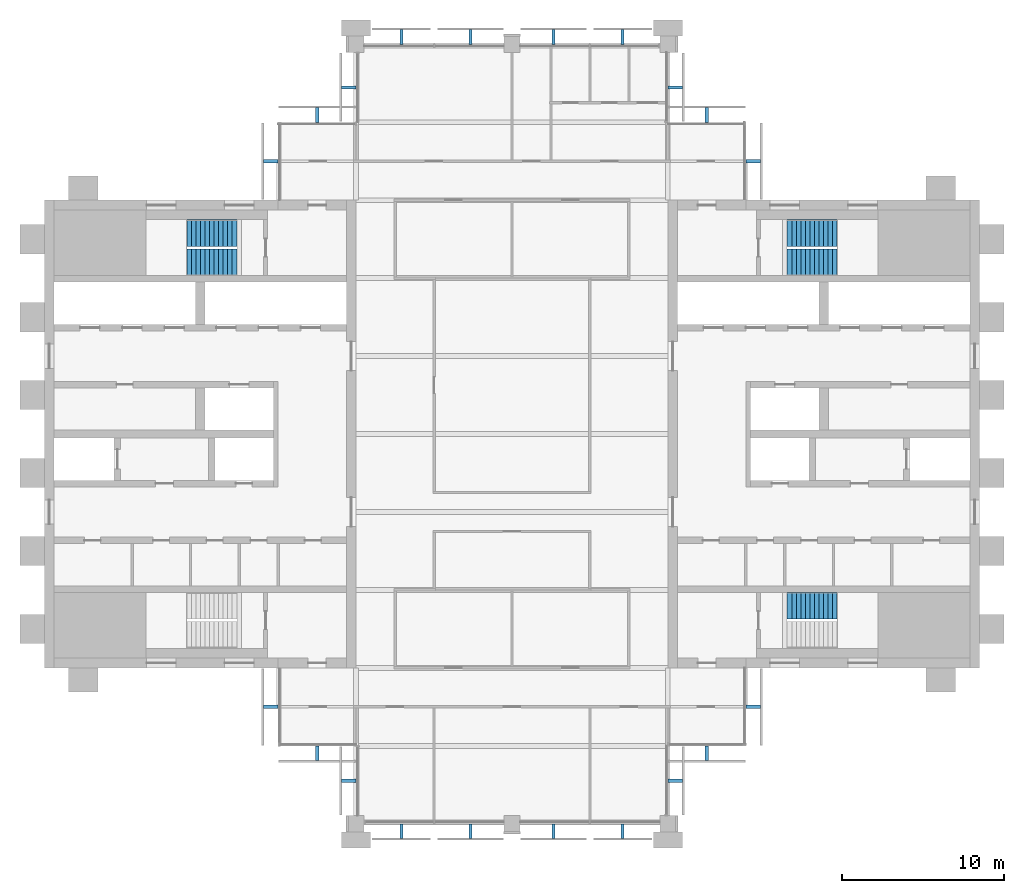
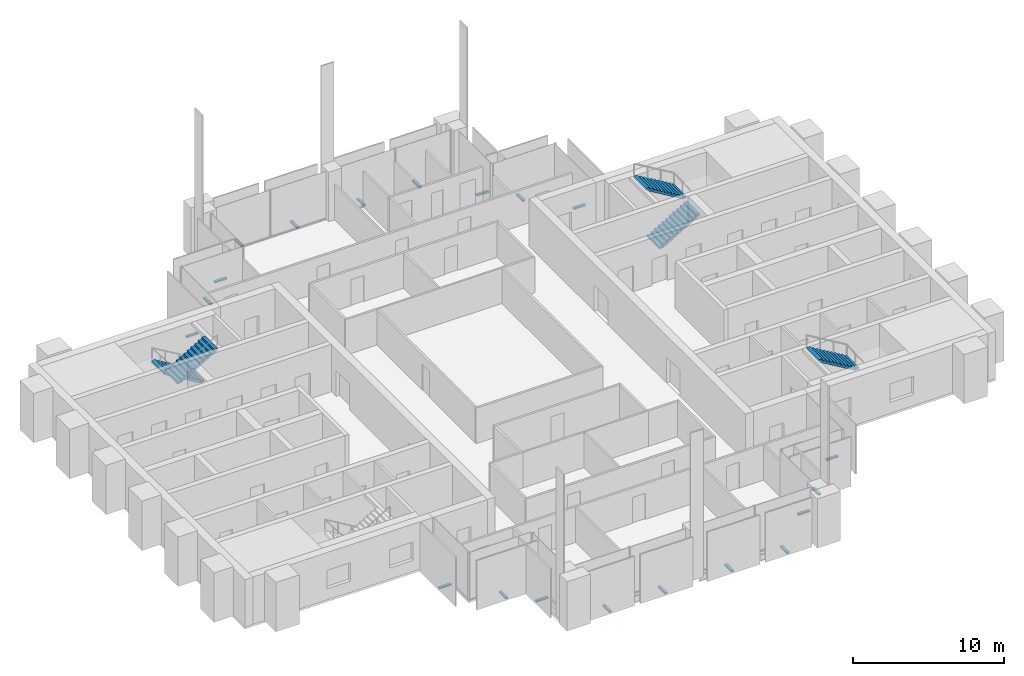
# One storey, part 12 of 13: 20 discrete accessories, 5 stair flights, 3 elements without a shape of their own.
"""IFC4 building model written with IfcOpenShell, lengths in metres."""

from ifc_helpers import new_model, si_unit, direction, frame, origin, origin_2d, place, context, subcontext, project, spatial, polyline, rectangle, outline, extrude, material, type_object, element, aggregate, save


model = new_model("IFC4")

# Units and contexts
model_context = context("Model", 3, precision=1e-05, world=origin(), true_north=direction((0.0, 1.0)))
body_context = subcontext(model_context, "Body", "Model", "MODEL_VIEW")
ifc_project = project(units=[si_unit("LENGTHUNIT", "METRE"), si_unit("AREAUNIT", "SQUARE_METRE"), si_unit("VOLUMEUNIT", "CUBIC_METRE"), si_unit("PLANEANGLEUNIT", "RADIAN"), si_unit("MASSUNIT", "GRAM", prefix="KILO")], contexts=[model_context])

# Site, building, storey
site_placement = place(None, origin())
site = spatial("IfcSite", under=ifc_project, at=site_placement, CompositionType="ELEMENT")
building_placement = place(site_placement, origin())
building = spatial("IfcBuilding", under=site, at=building_placement, Name="Baori Bourse Tower", CompositionType="ELEMENT")
storey_placement = place(building_placement, frame((0.0, 0.0, 330.300048828125)))
storey = spatial("IfcBuildingStorey", under=building, at=storey_placement, Name="L73", CompositionType="ELEMENT", Elevation=330.300048828125)

# Stair, stair flights
ifc_material_1 = material(Name="Concrete f'c 50 MPa", Category="concrete")
stair_type = type_object("IfcStairType", Name="Core stair", PredefinedType="HALF_TURN_STAIR", material=ifc_material_1)
stair_1_placement = place(storey_placement, origin())
stair_1 = element("IfcStair", 1, at=stair_1_placement, inside=storey, type_object=stair_type, Name="L73 Stair WB", PredefinedType="HALF_TURN_STAIR")
ifc_material_2 = material(Name="Concrete f'c 50 MPa", Category="concrete")
stair_flight_type = type_object("IfcStairFlightType", Name="Core stair flight", PredefinedType="STRAIGHT", material=ifc_material_2)
stair_flight_1_placement = place(storey_placement, frame((11.85009765625, 36.375, 0.0), z_axis=(0.0, 0.0, 1.0), x_axis=(-1.0, 0.0, 0.0)))
stair_flight_1 = element("IfcStairFlight", 2, at=stair_flight_1_placement, type_object=stair_flight_type, Name="ST2 flight 1", NumberOfRisers=12, NumberOfTreads=11, PredefinedType="STRAIGHT", RiserHeight=0.166666667, TreadLength=0.28, context=body_context, shape_type="SweptSolid", body=[
    extrude(outline(polyline([(0.0, 0.0), (0.0, 0.166748046875), (0.280029296875, 0.166748046875), (0.280029296875, 0.333251953125), (0.56005859375, 0.333251953125), (0.56005859375, 0.5), (0.840087890625, 0.5), (0.840087890625, 0.666748046875), (1.1201171875, 0.666748046875), (1.1201171875, 0.833251953125), (1.39990234375, 0.833251953125), (1.39990234375, 1.0), (1.679931640625, 1.0), (1.679931640625, 1.166748046875), (1.9599609375, 1.166748046875), (1.9599609375, 1.333251953125), (2.239990234375, 1.333251953125), (2.239990234375, 1.5), (2.52001953125, 1.5), (2.52001953125, 1.666748046875), (2.800048828125, 1.666748046875), (2.800048828125, 1.833251953125), (3.080078125, 1.833251953125), (3.080078125, 2.0), (3.080078125, 1.658935546875), (0.29296875, 0.0), (0.0, 0.0)])), frame((0.0, 0.824951171875, 0.0), z_axis=(0.0, -1.0, 0.0), x_axis=(1.0, 0.0, 0.0)), (0.0, 0.0, 1.0), 1.64990234375),
])
stair_flight_2_placement = place(storey_placement, frame((8.77001953125, 34.574951171875, 2.0), z_axis=(0.0, 0.0, 1.0), x_axis=(1.0, 0.0, 0.0)))
stair_flight_2 = element("IfcStairFlight", 3, at=stair_flight_2_placement, type_object=stair_flight_type, Name="ST2 flight 2", NumberOfRisers=12, NumberOfTreads=11, PredefinedType="STRAIGHT", RiserHeight=0.166666667, TreadLength=0.28, context=body_context, shape_type="SweptSolid", body=[
    extrude(outline(polyline([(0.0, 0.0), (0.0, 0.166748046875), (0.280029296875, 0.166748046875), (0.280029296875, 0.333251953125), (0.56005859375, 0.333251953125), (0.56005859375, 0.5), (0.840087890625, 0.5), (0.840087890625, 0.666748046875), (1.1201171875, 0.666748046875), (1.1201171875, 0.833251953125), (1.39990234375, 0.833251953125), (1.39990234375, 1.0), (1.679931640625, 1.0), (1.679931640625, 1.166748046875), (1.9599609375, 1.166748046875), (1.9599609375, 1.333251953125), (2.239990234375, 1.333251953125), (2.239990234375, 1.5), (2.52001953125, 1.5), (2.52001953125, 1.666748046875), (2.800048828125, 1.666748046875), (2.800048828125, 1.833251953125), (3.080078125, 1.833251953125), (3.080078125, 2.0), (3.080078125, 1.658935546875), (0.29296875, 0.0), (0.0, 0.0)])), frame((0.0, 0.824951171875, 0.0), z_axis=(0.0, -1.0, 0.0), x_axis=(1.0, 0.0, 0.0)), (0.0, 0.0, 1.0), 1.64990234375),
])
aggregate(stair_1, [stair_flight_1, stair_flight_2])

# Stair, stair flight
stair_2_placement = place(storey_placement, origin())
stair_2 = element("IfcStair", 4, at=stair_2_placement, inside=storey, type_object=stair_type, Name="L73 Stair EA", PredefinedType="HALF_TURN_STAIR")
stair_flight_3_placement = place(storey_placement, frame((48.830078125, 13.425048828125, 2.0), z_axis=(0.0, 0.0, 1.0), x_axis=(-1.0, 0.0, 0.0)))
stair_flight_3 = element("IfcStairFlight", 5, at=stair_flight_3_placement, type_object=stair_flight_type, Name="ST3 flight 2", NumberOfRisers=12, NumberOfTreads=11, PredefinedType="STRAIGHT", RiserHeight=0.166666667, TreadLength=0.28, context=body_context, shape_type="SweptSolid", body=[
    extrude(outline(polyline([(0.0, 0.0), (0.0, 0.166748046875), (0.280029296875, 0.166748046875), (0.280029296875, 0.333251953125), (0.56005859375, 0.333251953125), (0.56005859375, 0.5), (0.840087890625, 0.5), (0.840087890625, 0.666748046875), (1.1201171875, 0.666748046875), (1.1201171875, 0.833251953125), (1.39990234375, 0.833251953125), (1.39990234375, 1.0), (1.679931640625, 1.0), (1.679931640625, 1.166748046875), (1.9599609375, 1.166748046875), (1.9599609375, 1.333251953125), (2.239990234375, 1.333251953125), (2.239990234375, 1.5), (2.52001953125, 1.5), (2.52001953125, 1.666748046875), (2.800048828125, 1.666748046875), (2.800048828125, 1.833251953125), (3.080078125, 1.833251953125), (3.080078125, 2.0), (3.080078125, 1.658935546875), (0.29296875, 0.0), (0.0, 0.0)])), frame((0.0, 0.824951171875, 0.0), z_axis=(0.0, -1.0, 0.0), x_axis=(1.0, 0.0, 0.0)), (0.0, 0.0, 1.0), 1.64990234375),
])
aggregate(stair_2, [stair_flight_3])

# Stair, stair flights
stair_3_placement = place(storey_placement, origin())
stair_3 = element("IfcStair", 6, at=stair_3_placement, inside=storey, type_object=stair_type, Name="L73 Stair EB", PredefinedType="HALF_TURN_STAIR")
stair_flight_4_placement = place(storey_placement, frame((45.75, 34.574951171875, 0.0), z_axis=(0.0, 0.0, 1.0), x_axis=(1.0, 0.0, 0.0)))
stair_flight_4 = element("IfcStairFlight", 7, at=stair_flight_4_placement, type_object=stair_flight_type, Name="ST4 flight 1", NumberOfRisers=12, NumberOfTreads=11, PredefinedType="STRAIGHT", RiserHeight=0.166666667, TreadLength=0.28, context=body_context, shape_type="SweptSolid", body=[
    extrude(outline(polyline([(0.0, 0.0), (0.0, 0.166748046875), (0.280029296875, 0.166748046875), (0.280029296875, 0.333251953125), (0.56005859375, 0.333251953125), (0.56005859375, 0.5), (0.840087890625, 0.5), (0.840087890625, 0.666748046875), (1.1201171875, 0.666748046875), (1.1201171875, 0.833251953125), (1.39990234375, 0.833251953125), (1.39990234375, 1.0), (1.679931640625, 1.0), (1.679931640625, 1.166748046875), (1.9599609375, 1.166748046875), (1.9599609375, 1.333251953125), (2.239990234375, 1.333251953125), (2.239990234375, 1.5), (2.52001953125, 1.5), (2.52001953125, 1.666748046875), (2.800048828125, 1.666748046875), (2.800048828125, 1.833251953125), (3.080078125, 1.833251953125), (3.080078125, 2.0), (3.080078125, 1.658935546875), (0.29296875, 0.0), (0.0, 0.0)])), frame((0.0, 0.824951171875, 0.0), z_axis=(0.0, -1.0, 0.0), x_axis=(1.0, 0.0, 0.0)), (0.0, 0.0, 1.0), 1.64990234375),
])
stair_flight_5_placement = place(storey_placement, frame((48.830078125, 36.375, 2.0), z_axis=(0.0, 0.0, 1.0), x_axis=(-1.0, 0.0, 0.0)))
stair_flight_5 = element("IfcStairFlight", 8, at=stair_flight_5_placement, type_object=stair_flight_type, Name="ST4 flight 2", NumberOfRisers=12, NumberOfTreads=11, PredefinedType="STRAIGHT", RiserHeight=0.166666667, TreadLength=0.28, context=body_context, shape_type="SweptSolid", body=[
    extrude(outline(polyline([(0.0, 0.0), (0.0, 0.166748046875), (0.280029296875, 0.166748046875), (0.280029296875, 0.333251953125), (0.56005859375, 0.333251953125), (0.56005859375, 0.5), (0.840087890625, 0.5), (0.840087890625, 0.666748046875), (1.1201171875, 0.666748046875), (1.1201171875, 0.833251953125), (1.39990234375, 0.833251953125), (1.39990234375, 1.0), (1.679931640625, 1.0), (1.679931640625, 1.166748046875), (1.9599609375, 1.166748046875), (1.9599609375, 1.333251953125), (2.239990234375, 1.333251953125), (2.239990234375, 1.5), (2.52001953125, 1.5), (2.52001953125, 1.666748046875), (2.800048828125, 1.666748046875), (2.800048828125, 1.833251953125), (3.080078125, 1.833251953125), (3.080078125, 2.0), (3.080078125, 1.658935546875), (0.29296875, 0.0), (0.0, 0.0)])), frame((0.0, 0.824951171875, 0.0), z_axis=(0.0, -1.0, 0.0), x_axis=(1.0, 0.0, 0.0)), (0.0, 0.0, 1.0), 1.64990234375),
])
aggregate(stair_3, [stair_flight_4, stair_flight_5])

# Discrete accessories
ifc_material_3 = material(Name="Pale anodised aluminium", Category="aluminium")
discrete_accessory_type = type_object("IfcDiscreteAccessoryType", Name="OS2 Outer skin bracket", PredefinedType="BRACKET", material=ifc_material_3)
for number, where, z_axis, x_axis, name in (
    (9, (43.64990234375, 40.800048828125, -0.14404296875), (0.0, 0.0, 1.0), (0.0, 1.0, 0.0), "Outer skin bracket L73 1"),
    (10, (40.800048828125, 43.64990234375, -0.14404296875), (0.0, 0.0, 1.0), (-1.0, 0.0, 0.0), "Outer skin bracket L73 2"),
    (11, (38.85009765625, 45.35009765625, -0.14404296875), (0.0, 0.0, 1.0), (0.0, 1.0, 0.0), "Outer skin bracket L73 3"),
    (12, (35.612548828125, 48.449951171875, -0.14404296875), (0.0, 0.0, 1.0), (-1.0, 0.0, 0.0), "Outer skin bracket L73 4"),
    (13, (31.362548828125, 48.449951171875, -0.14404296875), (0.0, 0.0, 1.0), (-1.0, 0.0, 0.0), "Outer skin bracket L73 5"),
    (14, (26.237548828125, 48.449951171875, -0.14404296875), (0.0, 0.0, 1.0), (-1.0, 0.0, 0.0), "Outer skin bracket L73 6"),
    (15, (21.987548828125, 48.449951171875, -0.14404296875), (0.0, 0.0, 1.0), (-1.0, 0.0, 0.0), "Outer skin bracket L73 7"),
    (16, (18.75, 45.35009765625, -0.14404296875), (0.0, 0.0, 1.0), (0.0, -1.0, 0.0), "Outer skin bracket L73 8"),
    (17, (16.800048828125, 43.64990234375, -0.14404296875), (0.0, 0.0, 1.0), (-1.0, 0.0, 0.0), "Outer skin bracket L73 9"),
    (18, (13.949951171875, 40.800048828125, -0.14404296875), (0.0, 0.0, 1.0), (0.0, -1.0, 0.0), "Outer skin bracket L73 10"),
    (19, (13.949951171875, 7.199951171875, -0.14404296875), (0.0, 0.0, 1.0), (0.0, -1.0, 0.0), "Outer skin bracket L73 11"),
    (20, (16.800048828125, 4.35009765625, -0.14404296875), (0.0, 0.0, 1.0), (1.0, 0.0, 0.0), "Outer skin bracket L73 12"),
    (21, (18.75, 2.64990234375, -0.14404296875), (0.0, 0.0, 1.0), (0.0, -1.0, 0.0), "Outer skin bracket L73 13"),
    (22, (21.987548828125, -0.449951171875, -0.14404296875), (0.0, 0.0, 1.0), (1.0, 0.0, 0.0), "Outer skin bracket L73 14"),
    (23, (26.237548828125, -0.449951171875, -0.14404296875), (0.0, 0.0, 1.0), (1.0, 0.0, 0.0), "Outer skin bracket L73 15"),
    (24, (31.362548828125, -0.449951171875, -0.14404296875), (0.0, 0.0, 1.0), (1.0, 0.0, 0.0), "Outer skin bracket L73 16"),
    (25, (35.612548828125, -0.449951171875, -0.14404296875), (0.0, 0.0, 1.0), (1.0, 0.0, 0.0), "Outer skin bracket L73 17"),
    (26, (38.85009765625, 2.64990234375, -0.14404296875), (0.0, 0.0, 1.0), (0.0, 1.0, 0.0), "Outer skin bracket L73 18"),
    (27, (40.800048828125, 4.35009765625, -0.14404296875), (0.0, 0.0, 1.0), (1.0, 0.0, 0.0), "Outer skin bracket L73 19"),
    (28, (43.64990234375, 7.199951171875, -0.14404296875), (0.0, 0.0, 1.0), (0.0, 1.0, 0.0), "Outer skin bracket L73 20"),
):
    element("IfcDiscreteAccessory", number, at=place(storey_placement, frame(where, z_axis=z_axis, x_axis=x_axis)), inside=storey, type_object=discrete_accessory_type, Name=name, PredefinedType="BRACKET", context=body_context, shape_type="SweptSolid", body=[
        extrude(rectangle(XDim=0.199951171875, YDim=0.89990234375, at=origin_2d()), origin(), (0.0, 0.0, 1.0), 0.1279296875),
    ])

save(model, "model.ifc")
